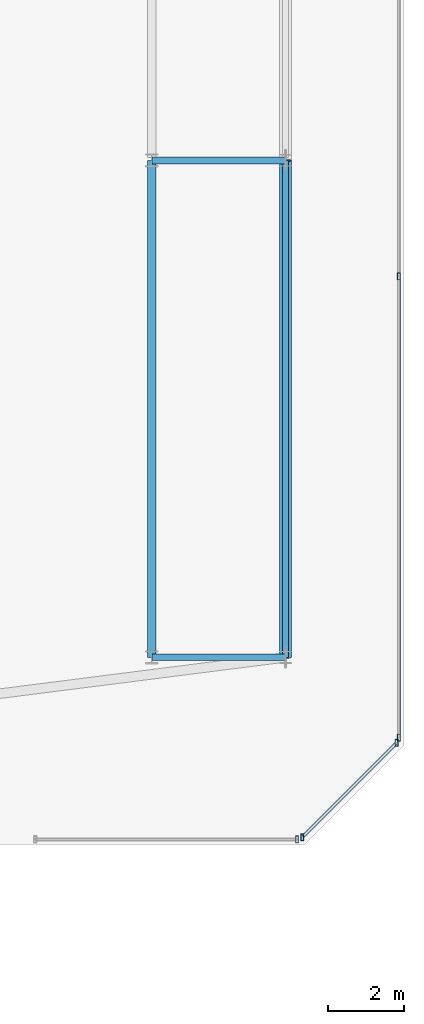
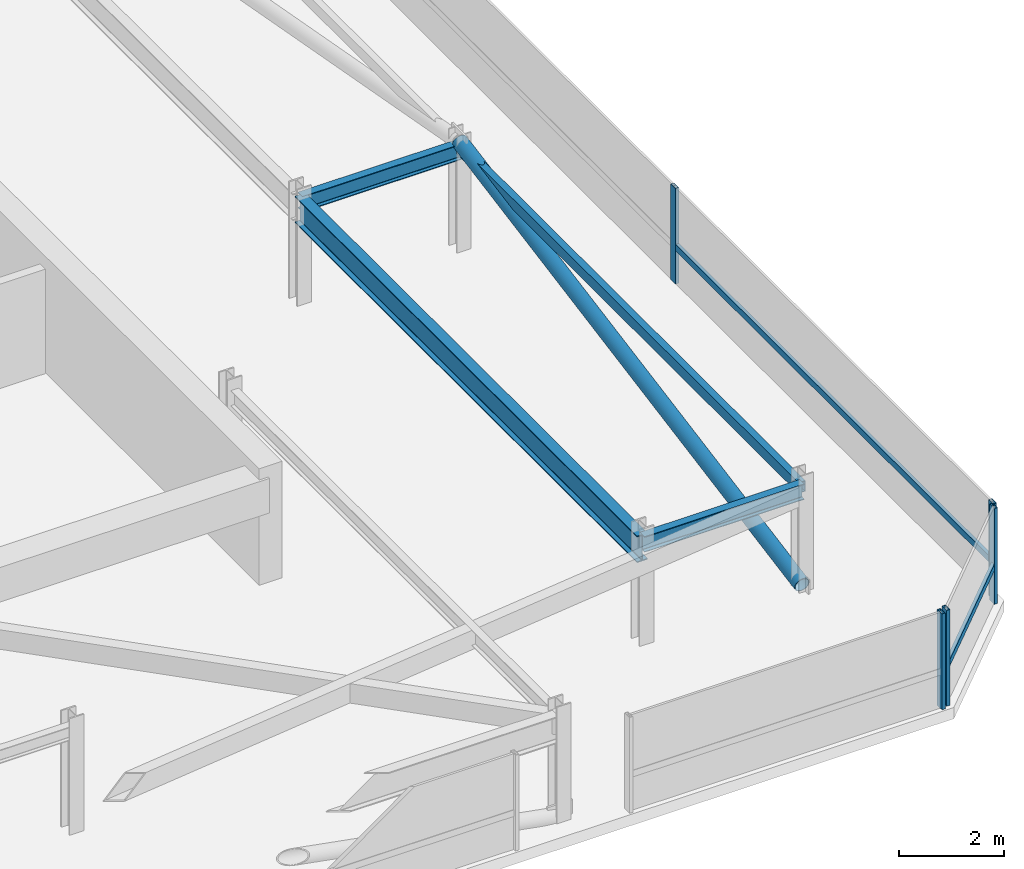
# One storey, part 31 of 42: 8 members, 4 beams, 3 elements without a shape of their own.
"""IFC4 building model written with IfcOpenShell, lengths in metres."""

from ifc_helpers import new_model, si_unit, direction, frame, origin, origin_2d, place, context, subcontext, project, spatial, hollow_rectangle, hollow_circle, i_section, extrude, material, material_profile, profile_set, type_object, element, aggregate, save


model = new_model("IFC4")

# Units and contexts
model_context = context("Model", 3, precision=1e-05, world=origin(), true_north=direction((0.0, 1.0)))
body_context = subcontext(model_context, "Body", "Model", "MODEL_VIEW")
ifc_project = project(units=[si_unit("LENGTHUNIT", "METRE"), si_unit("AREAUNIT", "SQUARE_METRE"), si_unit("VOLUMEUNIT", "CUBIC_METRE"), si_unit("PLANEANGLEUNIT", "RADIAN"), si_unit("MASSUNIT", "GRAM", prefix="KILO")], contexts=[model_context])

# Site, building, storey
site_placement = place(None, origin())
site = spatial("IfcSite", under=ifc_project, at=site_placement, CompositionType="ELEMENT")
building_placement = place(site_placement, origin())
building = spatial("IfcBuilding", under=site, at=building_placement, Name="Thornwick Lancets Civic Towers", CompositionType="ELEMENT")
storey_placement = place(building_placement, frame((0.0, 0.0, 284.10009765625)))
storey = spatial("IfcBuildingStorey", under=building, at=storey_placement, Name="C02", CompositionType="ELEMENT", Elevation=284.10009765625)

# Beams
ifc_material_1 = material(Name="Steel S355JR", Category="steel")
ifc_material_profile_1 = material_profile(ifc_material_1, hollow_rectangle(XDim=0.14990234375, YDim=0.25, WallThickness=0.012451171875, at=origin_2d()), Name="RHS 250x150x12.5")
ifc_profile_set_1 = profile_set([ifc_material_profile_1], Name="Steel S355JR")
beam_type_1 = type_object("IfcBeamType", Name="BM_CROWN_RHS250", PredefinedType="BEAM", material=ifc_profile_set_1)
beam_1_placement = place(storey_placement, frame((109.300048828125, 14.0, 2.31494140625), z_axis=(0.0, 1.0, 0.0), x_axis=(-1.0, 0.0, 0.0)))
element("IfcBeam", 1, at=beam_1_placement, inside=storey, type_object=beam_type_1, Name="BM-EDGE-C02-B-S0-1", PredefinedType="BEAM", context=body_context, shape_type="SweptSolid", body=[
    extrude(hollow_rectangle(XDim=0.14990234375, YDim=0.25, WallThickness=0.012451171875, at=origin_2d()), origin(), (0.0, 0.0, 1.0), 13.0),
])
ifc_material_profile_2 = material_profile(ifc_material_1, i_section(OverallWidth=0.230224609375, OverallDepth=0.6171875, WebThickness=0.01318359375, FlangeThickness=0.022216796875, FilletRadius=0.0126953125, at=origin_2d()), Name="UKB 610x229x140")
ifc_profile_set_2 = profile_set([ifc_material_profile_2], Name="Steel S355JR")
beam_type_2 = type_object("IfcBeamType", Name="BM_GIRD_610_140", PredefinedType="BEAM", material=ifc_profile_set_2)
beam_2_placement = place(storey_placement, frame((105.800048828125, 14.0, 2.13134765625), z_axis=(0.0, 1.0, 0.0), x_axis=(-1.0, 0.0, 0.0)))
element("IfcBeam", 2, at=beam_2_placement, inside=storey, type_object=beam_type_2, Name="BM-SPINE-C02-B-0-1", PredefinedType="BEAM", context=body_context, shape_type="SweptSolid", body=[
    extrude(i_section(OverallWidth=0.230224609375, OverallDepth=0.6171875, WebThickness=0.01318359375, FlangeThickness=0.022216796875, FilletRadius=0.0126953125, at=origin_2d()), origin(), (0.0, 0.0, 1.0), 13.0),
])
ifc_material_profile_3 = material_profile(ifc_material_1, i_section(OverallWidth=0.173095703125, OverallDepth=0.36328125, WebThickness=0.009033203125, FlangeThickness=0.015625, FilletRadius=0.01025390625, at=origin_2d()), Name="UKB 356x171x67")
ifc_profile_set_3 = profile_set([ifc_material_profile_3], Name="Steel S355JR")
beam_type_3 = type_object("IfcBeamType", Name="BM_JOIST_356_67", PredefinedType="JOIST", material=ifc_profile_set_3)
for number, where, z_axis, x_axis, name in (
    (3, (105.800048828125, 14.0, 2.25830078125), (1.0, 0.0, 0.0), (0.0, 1.0, 0.0), "BM-RAD-C02-B01"),
    (4, (105.800048828125, 27.0, 2.25830078125), (1.0, 0.0, 0.0), (0.0, 1.0, 0.0), "BM-RAD-C02-B02"),
):
    element("IfcBeam", number, at=place(storey_placement, frame(where, z_axis=z_axis, x_axis=x_axis)), inside=storey, type_object=beam_type_3, Name=name, PredefinedType="JOIST", context=body_context, shape_type="SweptSolid", body=[
        extrude(i_section(OverallWidth=0.173095703125, OverallDepth=0.36328125, WebThickness=0.009033203125, FlangeThickness=0.015625, FilletRadius=0.01025390625, at=origin_2d()), origin(), (0.0, 0.0, 1.0), 3.5),
    ])

# Curtain wall, member
ifc_material_2 = material(Name="Crown ring acoustic-louvre and glazing screen wall", Category="glass")
curtain_wall_type = type_object("IfcCurtainWallType", Name="CW_SYS_07", PredefinedType="NOTDEFINED", material=ifc_material_2)
curtain_wall_1_placement = place(storey_placement, origin())
curtain_wall_1 = element("IfcCurtainWall", 5, at=curtain_wall_1_placement, inside=storey, type_object=curtain_wall_type, Name="C02 Curtain Wall CW-C02-B-E0-S3", PredefinedType="NOTDEFINED")
ifc_material_3 = material(Name="Thermally broken bronze aluminium S355", Category="steel")
ifc_material_profile_4 = material_profile(ifc_material_3, hollow_rectangle(XDim=0.074951171875, YDim=0.179931640625, WallThickness=0.006103515625, at=origin_2d()), Name="RHS 180x75x6")
ifc_profile_set_4 = profile_set([ifc_material_profile_4], Name="Thermally broken bronze aluminium S355")
member_type_1 = type_object("IfcMemberType", Name="CW_MUL_180", PredefinedType="MULLION", material=ifc_profile_set_4)
member_1_placement = place(storey_placement, frame((109.601318359375, 9.2353515625, 0.0), z_axis=(0.0, 0.0, 1.0), x_axis=(1.0, 0.0, 0.0)))
member_1 = element("IfcMember", 6, at=member_1_placement, type_object=member_type_1, Name="CW-C02-B-E0-S3 Mullion 1", PredefinedType="MULLION", context=body_context, shape_type="SweptSolid", body=[
    extrude(hollow_rectangle(XDim=0.074951171875, YDim=0.179931640625, WallThickness=0.006103515625, at=origin_2d()), origin(), (0.0, 0.0, 1.0), 2.219970703125),
])
aggregate(curtain_wall_1, [member_1])

# Curtain wall, members
curtain_wall_2_placement = place(storey_placement, origin())
curtain_wall_2 = element("IfcCurtainWall", 7, at=curtain_wall_2_placement, inside=storey, type_object=curtain_wall_type, Name="C02 Curtain Wall CW-C02-B-E1", PredefinedType="NOTDEFINED")
member_2_placement = place(storey_placement, frame((109.738037109375, 9.2919921875, 0.0), z_axis=(0.0, 0.0, 1.0), x_axis=(1.0, 0.0, 0.0)))
member_2 = element("IfcMember", 8, at=member_2_placement, type_object=member_type_1, Name="CW-C02-B-E1 Mullion 0", PredefinedType="MULLION", context=body_context, shape_type="SweptSolid", body=[
    extrude(hollow_rectangle(XDim=0.074951171875, YDim=0.179931640625, WallThickness=0.006103515625, at=origin_2d()), origin(), (0.0, 0.0, 1.0), 2.219970703125),
])
member_3_placement = place(storey_placement, frame((112.2080078125, 11.761962890625, 0.0), z_axis=(0.0, 0.0, 1.0), x_axis=(1.0, 0.0, 0.0)))
member_3 = element("IfcMember", 9, at=member_3_placement, type_object=member_type_1, Name="CW-C02-B-E1 Mullion 1", PredefinedType="MULLION", context=body_context, shape_type="SweptSolid", body=[
    extrude(hollow_rectangle(XDim=0.074951171875, YDim=0.179931640625, WallThickness=0.006103515625, at=origin_2d()), origin(), (0.0, 0.0, 1.0), 2.219970703125),
])

curtain_wall_3_placement = place(storey_placement, origin())
curtain_wall_3 = element("IfcCurtainWall", 10, at=curtain_wall_3_placement, inside=storey, type_object=curtain_wall_type, Name="C02 Curtain Wall CW-C02-B-E2", PredefinedType="NOTDEFINED")
member_4_placement = place(storey_placement, frame((112.2646484375, 11.898681640625, 0.0), z_axis=(0.0, 0.0, 1.0), x_axis=(1.0, 0.0, 0.0)))
member_4 = element("IfcMember", 11, at=member_4_placement, type_object=member_type_1, Name="CW-C02-B-E2 Mullion 0", PredefinedType="MULLION", context=body_context, shape_type="SweptSolid", body=[
    extrude(hollow_rectangle(XDim=0.074951171875, YDim=0.179931640625, WallThickness=0.006103515625, at=origin_2d()), origin(), (0.0, 0.0, 1.0), 2.219970703125),
])
member_5_placement = place(storey_placement, frame((112.2646484375, 23.96630859375, 0.0), z_axis=(0.0, 0.0, 1.0), x_axis=(1.0, 0.0, 0.0)))
member_5 = element("IfcMember", 12, at=member_5_placement, type_object=member_type_1, Name="CW-C02-B-E2 Mullion 1", PredefinedType="MULLION", context=body_context, shape_type="SweptSolid", body=[
    extrude(hollow_rectangle(XDim=0.074951171875, YDim=0.179931640625, WallThickness=0.006103515625, at=origin_2d()), origin(), (0.0, 0.0, 1.0), 2.219970703125),
])

# Member
ifc_material_profile_5 = material_profile(ifc_material_3, hollow_rectangle(XDim=0.074951171875, YDim=0.14990234375, WallThickness=0.0048828125, at=origin_2d()), Name="RHS 150x75x5")
ifc_profile_set_5 = profile_set([ifc_material_profile_5], Name="Thermally broken bronze aluminium S355")
member_type_2 = type_object("IfcMemberType", Name="CW_TRN_150", PredefinedType="USERDEFINED", material=ifc_profile_set_5)
member_6_placement = place(storey_placement, frame((109.752197265625, 9.30615234375, 0.849853515625), z_axis=(0.707106781187, 0.707106781187, 0.0), x_axis=(-0.707106781187, 0.707106781187, 0.0)))
member_6 = element("IfcMember", 13, at=member_6_placement, type_object=member_type_2, Name="CW-C02-B-E1 Transom 0", ObjectType="TRANSOM", PredefinedType="USERDEFINED", context=body_context, shape_type="SweptSolid", body=[
    extrude(hollow_rectangle(XDim=0.074951171875, YDim=0.14990234375, WallThickness=0.0048828125, at=origin_2d()), origin(), (0.0, 0.0, 1.0), 3.453125),
])

aggregate(curtain_wall_2, [member_2, member_3, member_6])

member_7_placement = place(storey_placement, frame((112.2646484375, 11.918701171875, 0.849853515625), z_axis=(0.0, 1.0, 0.0), x_axis=(-1.0, 0.0, 0.0)))
member_7 = element("IfcMember", 14, at=member_7_placement, type_object=member_type_2, Name="CW-C02-B-E2 Transom 0", ObjectType="TRANSOM", PredefinedType="USERDEFINED", context=body_context, shape_type="SweptSolid", body=[
    extrude(hollow_rectangle(XDim=0.074951171875, YDim=0.14990234375, WallThickness=0.0048828125, at=origin_2d()), origin(), (0.0, 0.0, 1.0), 12.027587890625),
])

aggregate(curtain_wall_3, [member_4, member_5, member_7])

ifc_material_profile_6 = material_profile(ifc_material_1, hollow_circle(Radius=0.161865234375, WallThickness=0.01611328125, at=origin_2d()), Name="CHS 323.9x16")
ifc_profile_set_6 = profile_set([ifc_material_profile_6], Name="Steel S355JR")
member_type_3 = type_object("IfcMemberType", Name="MEM_CROWN_CHS324", PredefinedType="BRACE", material=ifc_profile_set_6)
member_8_placement = place(storey_placement, frame((109.300048828125, 14.0, 0.0498046875), z_axis=(0.0, 0.983515136313, 0.180825818519), x_axis=(-1.0, 0.0, 0.0)))
element("IfcMember", 15, at=member_8_placement, inside=storey, type_object=member_type_3, Name="C02 Crown Ring Lancet Rib B-S0-L", PredefinedType="BRACE", context=body_context, shape_type="SweptSolid", body=[
    extrude(hollow_circle(Radius=0.161865234375, WallThickness=0.01611328125, at=origin_2d()), origin(), (0.0, 0.0, 1.0), 13.2177734375),
])

save(model, "model.ifc")
